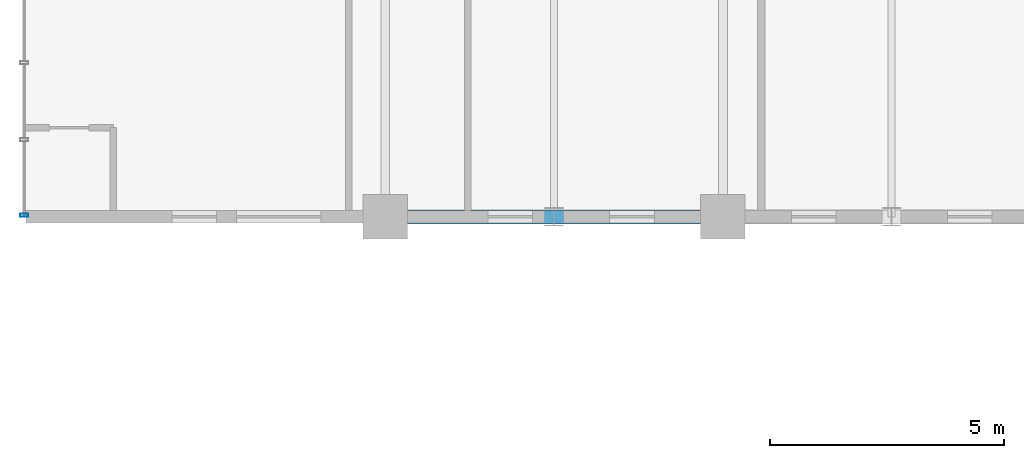
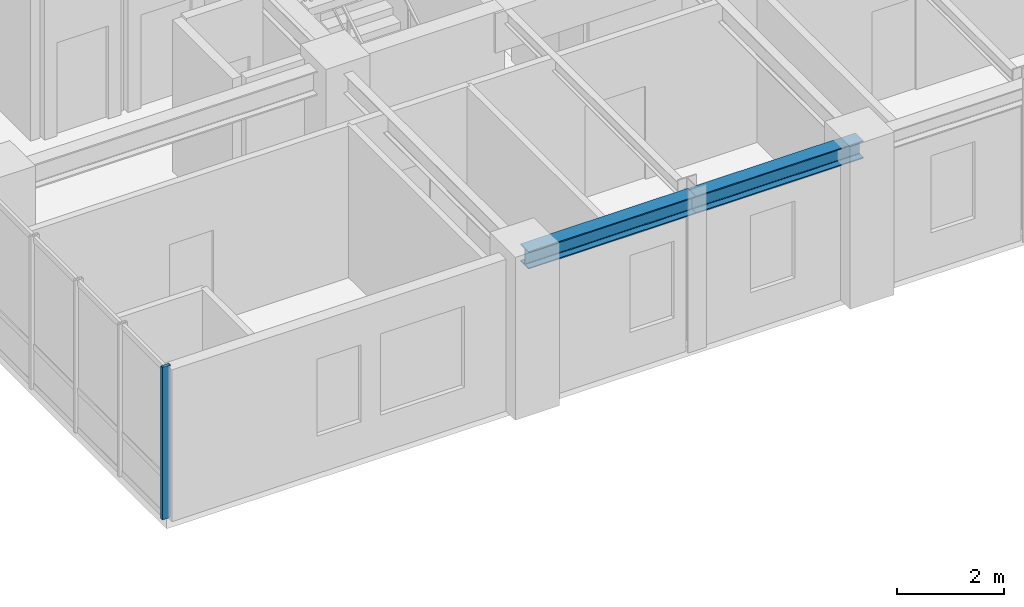
# One storey, part 4 of 20: 2 beams, 1 member, 1 element without a shape of its own.
"""IFC4 building model written with IfcOpenShell, lengths in metres."""

from ifc_helpers import new_model, si_unit, direction, frame, origin, origin_2d, place, context, subcontext, project, spatial, hollow_rectangle, i_section, extrude, source, transform, mapped, material, layer, layer_set, material_profile, profile_set, type_object, element, aggregate, save


model = new_model("IFC4")

# Units and contexts
model_context = context("Model", 3, precision=1e-05, world=origin(), true_north=direction((0.0, 1.0)))
body_context = subcontext(model_context, "Body", "Model", "MODEL_VIEW")
ifc_project = project(units=[si_unit("LENGTHUNIT", "METRE"), si_unit("AREAUNIT", "SQUARE_METRE"), si_unit("VOLUMEUNIT", "CUBIC_METRE"), si_unit("PLANEANGLEUNIT", "RADIAN"), si_unit("MASSUNIT", "GRAM", prefix="KILO")], contexts=[model_context])

# Site, building, storey
site_placement = place(None, origin())
site = spatial("IfcSite", under=ifc_project, at=site_placement, CompositionType="ELEMENT")
building_placement = place(site_placement, origin())
building = spatial("IfcBuilding", under=site, at=building_placement, Name="Kaliganga Portal Commons", CompositionType="ELEMENT")
storey_placement = place(building_placement, frame((0.0, 0.0, 216.60009765625)))
storey = spatial("IfcBuildingStorey", under=building, at=storey_placement, Name="L55", CompositionType="ELEMENT", Elevation=216.60009765625)

# Beams
ifc_material_1 = material(Name="Structural steel S355J2", Category="steel")
ifc_material_profile_1 = material_profile(ifc_material_1, i_section(OverallWidth=0.300048828125, OverallDepth=0.39990234375, WebThickness=0.013427734375, FlangeThickness=0.02392578125, FilletRadius=0.027099609375, at=origin_2d()), Name="HE 400 B")
ifc_profile_set_1 = profile_set([ifc_material_profile_1], Name="Structural steel S355J2 wide-flange")
beam_type = type_object("IfcBeamType", Name="BM-SPAND-400", PredefinedType="SPANDREL", material=ifc_profile_set_1)
shared_shape_1 = source(origin(), body_context, "Body", "SweptSolid", [
    extrude(i_section(OverallWidth=0.300048828125, OverallDepth=0.39990234375, WebThickness=0.013427734375, FlangeThickness=0.02392578125, FilletRadius=0.027099609375, at=origin_2d()), origin(), (0.0, 0.0, 1.0), 3.60009765625),
])
for number, where, z_axis, x_axis, name in (
    (1, (14.39990234375, 21.60009765625, 3.27001953125), (1.0, 0.0, 0.0), (0.0, 1.0, 0.0), "BM SP L55 AS 1"),
    (2, (18.0, 21.60009765625, 3.27001953125), (1.0, 0.0, 0.0), (0.0, 1.0, 0.0), "BM SP L55 AS 2"),
):
    element("IfcBeam", number, at=place(storey_placement, frame(where, z_axis=z_axis, x_axis=x_axis)), inside=storey, type_object=beam_type, Name=name, PredefinedType="SPANDREL", context=body_context, shape_type="MappedRepresentation", body=[
        mapped(shared_shape_1, transform((0.0, 0.0, 0.0), x_axis=(1.0, 0.0, 0.0), y_axis=(0.0, 1.0, 0.0), z_axis=(0.0, 0.0, 1.0), scale=1.0)),
    ])

# Curtain wall, member
ifc_material_2 = material(Name="Anodized Aluminium and Laminated Low-E Glass", Category="aluminium")
ifc_layer = layer(ifc_material_2, 0.199951171875)
ifc_layer_set = layer_set([ifc_layer], Name="Anodized Aluminium and Laminated Low-E Glass")
curtain_wall_type = type_object("IfcCurtainWallType", Name="CW-SYS-02", PredefinedType="NOTDEFINED", material=ifc_layer_set)
curtain_wall_placement = place(storey_placement, origin())
curtain_wall = element("IfcCurtainWall", 3, at=curtain_wall_placement, inside=storey, type_object=curtain_wall_type, Name="CW 02 L55 P1E03S3", PredefinedType="NOTDEFINED")
ifc_material_3 = material(Name="Dark Bronze Anodized Aluminium", Category="aluminium")
ifc_material_profile_2 = material_profile(ifc_material_3, hollow_rectangle(XDim=0.06494140625, YDim=0.179931640625, WallThickness=0.00390625, at=origin_2d()), Name="ALU MULL 65x180x4")
ifc_profile_set_2 = profile_set([ifc_material_profile_2], Name="Dark Bronze Anodized Aluminium")
member_type = type_object("IfcMemberType", Name="CW-MUL-180", PredefinedType="MULLION", material=ifc_profile_set_2)
shared_shape_2 = source(origin(), body_context, "Body", "SweptSolid", [
    extrude(hollow_rectangle(XDim=0.06494140625, YDim=0.179931640625, WallThickness=0.00390625, at=origin_2d()), origin(), (0.0, 0.0, 1.0), 3.469970703125),
])
member_placement = place(storey_placement, frame((6.699951171875, 21.635009765625, 0.0), z_axis=(0.0, 0.0, 1.0), x_axis=(0.0, -1.0, 0.0)))
member = element("IfcMember", 4, at=member_placement, type_object=member_type, Name="CW:02:L55:P1E03S3 Mullion 04", PredefinedType="MULLION", context=body_context, shape_type="MappedRepresentation", body=[
    mapped(shared_shape_2, transform((0.0, 0.0, 0.0), x_axis=(1.0, 0.0, 0.0), y_axis=(0.0, 1.0, 0.0), z_axis=(0.0, 0.0, 1.0), scale=1.0)),
])
aggregate(curtain_wall, [member])

save(model, "model.ifc")
